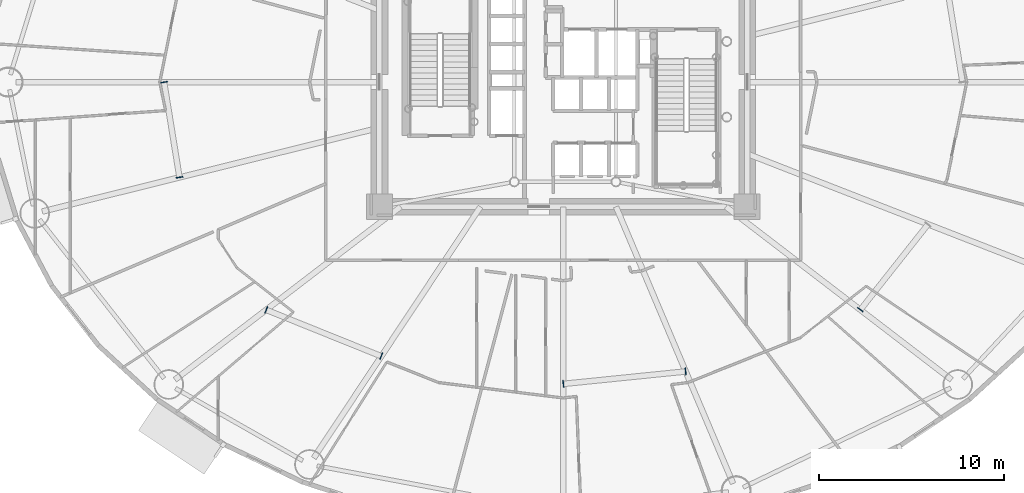
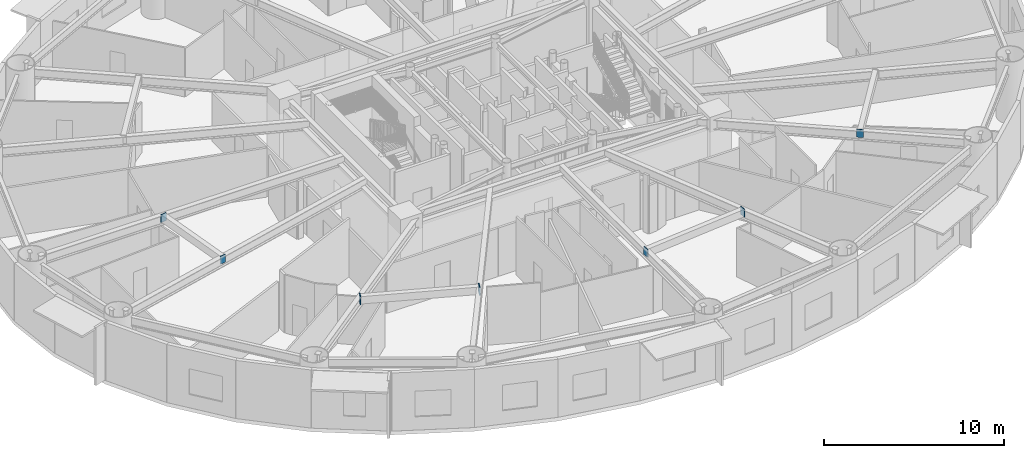
# One storey, part 7 of 24: 7 plates.
"""IFC4 building model written with IfcOpenShell, lengths in metres."""

from ifc_helpers import new_model, si_unit, direction, frame, origin, origin_2d, place, context, subcontext, project, spatial, rectangle, extrude, source, transform, mapped, material, layer, layer_set, type_object, element, save


model = new_model("IFC4")

# Units and contexts
model_context = context("Model", 3, precision=1e-05, world=origin(), true_north=direction((0.0, 1.0)))
body_context = subcontext(model_context, "Body", "Model", "MODEL_VIEW")
ifc_project = project(units=[si_unit("LENGTHUNIT", "METRE"), si_unit("AREAUNIT", "SQUARE_METRE"), si_unit("VOLUMEUNIT", "CUBIC_METRE"), si_unit("PLANEANGLEUNIT", "RADIAN"), si_unit("MASSUNIT", "GRAM", prefix="KILO")], contexts=[model_context])

# Site, building, storey
site_placement = place(None, origin())
site = spatial("IfcSite", under=ifc_project, at=site_placement, CompositionType="ELEMENT")
building_placement = place(site_placement, origin())
building = spatial("IfcBuilding", under=site, at=building_placement, Name="Linh Dai School and Residence Tower", CompositionType="ELEMENT")
storey_placement = place(building_placement, frame((0.0, 0.0, 70.199951171875)))
storey = spatial("IfcBuildingStorey", under=building, at=storey_placement, Name="L16", CompositionType="ELEMENT", Elevation=70.199951171875)

# Plates
ifc_material = material(Name="Structural Steel S355JR", Category="steel")
ifc_layer = layer(ifc_material, 0.0400390625)
ifc_layer_set = layer_set([ifc_layer], Name="Structural Steel S355JR")
plate_type = type_object("IfcPlateType", Name="PLT-GP1", PredefinedType="USERDEFINED", material=ifc_layer_set)
shared_shape = source(origin(), body_context, "Body", "SweptSolid", [
    extrude(rectangle(XDim=0.0400390625, YDim=0.3798828125, at=origin_2d()), origin(), (0.0, 0.0, 1.0), 0.5400390625),
])
for number, where, z_axis, x_axis, name in (
    (1, (14.392822265625, 26.9951171875, 3.429931640625), (0.0, 0.0, 1.0), (0.159659022119, -0.987172222389, 0.0), "L16 Secondary Beam End Plate 05A"),
    (2, (15.225830078125, 21.84375, 3.429931640625), (0.0, 0.0, 1.0), (0.159659022119, -0.987172222389, 0.0), "L16 Secondary Beam End Plate 05B"),
    (3, (19.921875, 14.6689453125, 3.429931640625), (0.0, 0.0, 1.0), (0.927536459105, -0.373732681245, 0.0), "L16 Secondary Beam End Plate 06A"),
    (4, (26.1455078125, 12.161376953125, 3.429931640625), (0.0, 0.0, 1.0), (0.927536459105, -0.373732681245, 0.0), "L16 Secondary Beam End Plate 06B"),
    (5, (36.0048828125, 10.6630859375, 3.429931640625), (0.0, 0.0, 1.0), (0.994884100574, 0.101022900497, 0.0), "L16 Secondary Beam End Plate 07A"),
    (6, (42.621826171875, 11.3349609375, 3.429931640625), (0.0, 0.0, 1.0), (0.994884100574, 0.101022900497, 0.0), "L16 Secondary Beam End Plate 07B"),
    (7, (52.085693359375, 14.6748046875, 3.429931640625), (0.0, 0.0, 1.0), (0.620177637481, 0.784461406297, 0.0), "L16 Secondary Beam End Plate 08A"),
):
    element("IfcPlate", number, at=place(storey_placement, frame(where, z_axis=z_axis, x_axis=x_axis)), inside=storey, type_object=plate_type, Name=name, ObjectType="GUSSET PLATE", PredefinedType="USERDEFINED", context=body_context, shape_type="MappedRepresentation", body=[
        mapped(shared_shape, transform((0.0, 0.0, 0.0), x_axis=(1.0, 0.0, 0.0), y_axis=(0.0, 1.0, 0.0), z_axis=(0.0, 0.0, 1.0), scale=1.0)),
    ])

save(model, "model.ifc")
